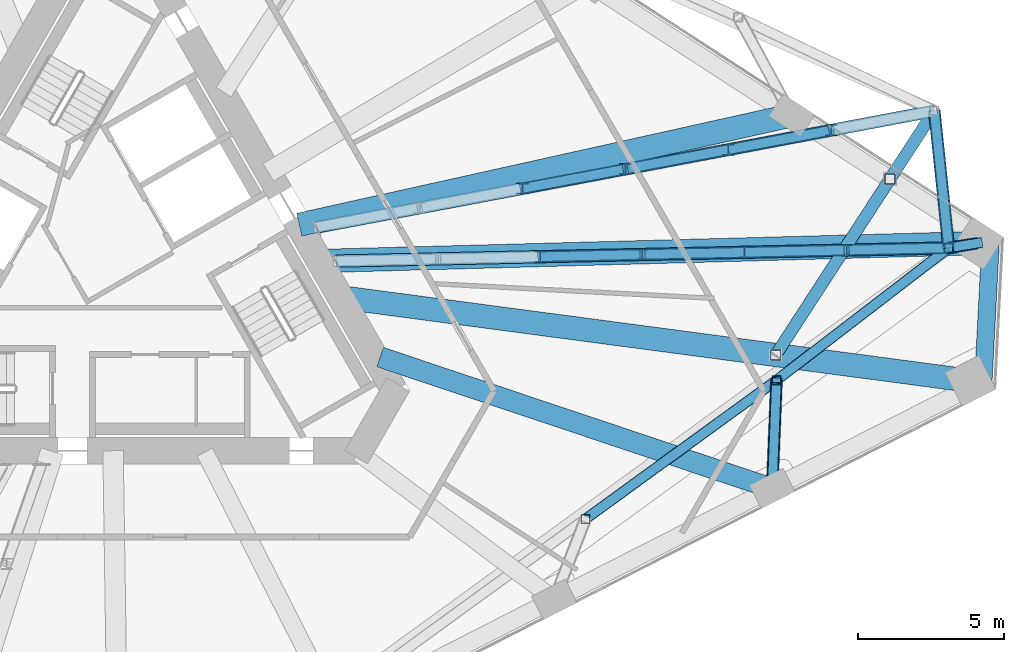
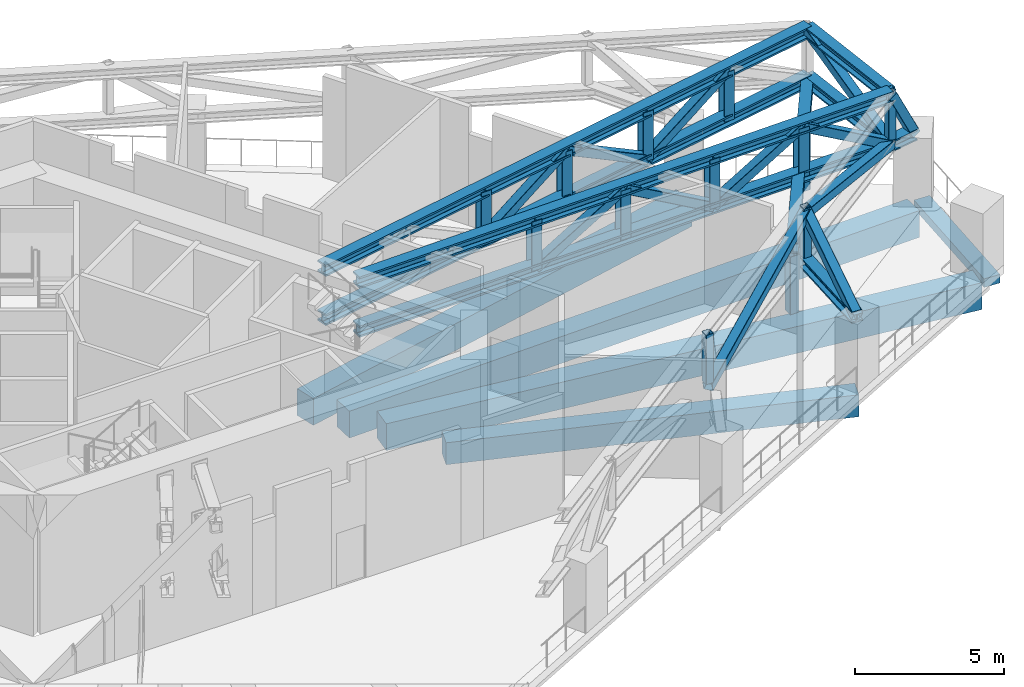
# One storey, part 8 of 26: 34 members, 5 beams.
"""IFC4 building model written with IfcOpenShell, lengths in metres."""

from ifc_helpers import new_model, si_unit, direction, frame, origin, origin_2d, place, context, subcontext, project, spatial, rectangle, hollow_rectangle, i_section, extrude, material, material_profile, profile_set, type_object, element, save


model = new_model("IFC4")

# Units and contexts
model_context = context("Model", 3, precision=1e-05, world=origin(), true_north=direction((0.0, 1.0)))
body_context = subcontext(model_context, "Body", "Model", "MODEL_VIEW")
ifc_project = project(units=[si_unit("LENGTHUNIT", "METRE"), si_unit("AREAUNIT", "SQUARE_METRE"), si_unit("VOLUMEUNIT", "CUBIC_METRE"), si_unit("PLANEANGLEUNIT", "RADIAN"), si_unit("MASSUNIT", "GRAM", prefix="KILO")], contexts=[model_context])

# Site, building, storey
site_placement = place(None, origin())
site = spatial("IfcSite", under=ifc_project, at=site_placement, CompositionType="ELEMENT")
building_placement = place(site_placement, origin())
building = spatial("IfcBuilding", under=site, at=building_placement, Name="Tramontana Tower", CompositionType="ELEMENT")
storey_placement = place(building_placement, frame((0.0, 0.0, 157.60009765625)))
storey = spatial("IfcBuildingStorey", under=building, at=storey_placement, Name="L36", CompositionType="ELEMENT", Elevation=157.60009765625)

# Members
ifc_material_1 = material(Name="Steel ASTM A500 Grade C", Category="steel")
ifc_material_profile_1 = material_profile(ifc_material_1, hollow_rectangle(XDim=0.3046875, YDim=0.3046875, WallThickness=0.01171875, InnerFilletRadius=0.01171875, OuterFilletRadius=0.023681640625, at=origin_2d()), Name="HSS12X12X1/2")
ifc_profile_set_1 = profile_set([ifc_material_profile_1], Name="Steel ASTM A500 Grade C")
member_type_1 = type_object("IfcMemberType", Name="Belt truss HSS12X12X1/2 post", PredefinedType="POST", material=ifc_profile_set_1)
for number, where, z_axis, x_axis, name in (
    (1, (16.26708984375, -8.63818359375, 2.8349609375), (0.0, 0.0, 1.0), (1.0, 0.0, 0.0), "Belt truss post C4F09"),
    (2, (22.806396484375, -3.88720703125, 2.8349609375), (0.0, 0.0, 1.0), (1.0, 0.0, 0.0), "Belt truss post C4F10"),
    (3, (28.701904296875, 0.6435546875, 2.8349609375), (0.0, 0.0, 1.0), (1.0, 0.0, 0.0), "Belt truss post C4K4"),
):
    element("IfcMember", number, at=place(storey_placement, frame(where, z_axis=z_axis, x_axis=x_axis)), inside=storey, type_object=member_type_1, Name=name, PredefinedType="POST", context=body_context, shape_type="SweptSolid", body=[
        extrude(hollow_rectangle(XDim=0.3046875, YDim=0.3046875, WallThickness=0.01171875, InnerFilletRadius=0.01171875, OuterFilletRadius=0.023681640625, at=origin_2d()), origin(), (0.0, 0.0, 1.0), 2.014892578125),
    ])
ifc_material_2 = material(Name="Steel ASTM A500 Grade C", Category="steel")
ifc_material_profile_2 = material_profile(ifc_material_2, hollow_rectangle(XDim=0.355712890625, YDim=0.355712890625, WallThickness=0.01171875, InnerFilletRadius=0.01171875, OuterFilletRadius=0.023681640625, at=origin_2d()), Name="HSS14X14X1/2")
ifc_profile_set_2 = profile_set([ifc_material_profile_2], Name="Steel ASTM A500 Grade C")
member_type_2 = type_object("IfcMemberType", Name="Belt truss HSS14X14X1/2 brace", PredefinedType="BRACE", material=ifc_profile_set_2)
member_1_placement = place(storey_placement, frame((16.26708984375, -8.63818359375, 2.617431640625), z_axis=(0.785001385935, 0.570323948863, 0.241874797018), x_axis=(-0.587776522019, 0.809023337218, 0.0)))
element("IfcMember", 4, at=member_1_placement, inside=storey, type_object=member_type_2, Name="Belt truss diagonal S1.5", PredefinedType="BRACE", context=body_context, shape_type="SweptSolid", body=[
    extrude(hollow_rectangle(XDim=0.355712890625, YDim=0.355712890625, WallThickness=0.01171875, InnerFilletRadius=0.01171875, OuterFilletRadius=0.023681640625, at=origin_2d()), origin(), (0.0, 0.0, 1.0), 8.330322265625),
])
member_2_placement = place(storey_placement, frame((22.806396484375, -3.88720703125, 4.63232421875), z_axis=(0.765298025783, 0.588139836114, -0.261553942637), x_axis=(-0.609352076684, 0.792899770867, 0.0)))
element("IfcMember", 5, at=member_2_placement, inside=storey, type_object=member_type_2, Name="Belt truss diagonal S1.6", PredefinedType="BRACE", context=body_context, shape_type="SweptSolid", body=[
    extrude(hollow_rectangle(XDim=0.355712890625, YDim=0.355712890625, WallThickness=0.01171875, InnerFilletRadius=0.01171875, OuterFilletRadius=0.023681640625, at=origin_2d()), origin(), (0.0, 0.0, 1.0), 7.70361328125),
])
member_3_placement = place(storey_placement, frame((28.701904296875, 0.6435546875, 2.617431640625), z_axis=(-0.096138690608, 0.91467330184, 0.39259406907), x_axis=(-0.994521595527, -0.104531316027, 0.0)))
element("IfcMember", 6, at=member_3_placement, inside=storey, type_object=member_type_2, Name="Belt truss diagonal K2.1", PredefinedType="BRACE", context=body_context, shape_type="SweptSolid", body=[
    extrude(hollow_rectangle(XDim=0.355712890625, YDim=0.355712890625, WallThickness=0.01171875, InnerFilletRadius=0.01171875, OuterFilletRadius=0.023681640625, at=origin_2d()), origin(), (0.0, 0.0, 1.0), 5.13232421875),
])
ifc_material_3 = material(Name="Steel ASTM A992 Grade 50", Category="steel")
ifc_material_profile_3 = material_profile(ifc_material_3, i_section(OverallWidth=0.412841796875, OverallDepth=0.43505859375, WebThickness=0.03662109375, FlangeThickness=0.05712890625, FilletRadius=0.01513671875, at=origin_2d()), Name="W14X311")
ifc_profile_set_3 = profile_set([ifc_material_profile_3], Name="Steel ASTM A992 Grade 50")
member_type_3 = type_object("IfcMemberType", Name="Belt truss W14X311 chord", PredefinedType="CHORD", material=ifc_profile_set_3)
for number, where, z_axis, x_axis, name in (
    (7, (28.701904296875, 0.6435546875, 2.617431640625), (-0.104531316027, 0.994521595527, 0.0), (-0.994521595527, -0.104531316027, 0.0), "Belt truss bottom chord K2"),
    (8, (28.701904296875, 0.6435546875, 4.63232421875), (-0.104531316027, 0.994521595527, 0.0), (-0.994521595527, -0.104531316027, 0.0), "Belt truss top chord K2"),
):
    element("IfcMember", number, at=place(storey_placement, frame(where, z_axis=z_axis, x_axis=x_axis)), inside=storey, type_object=member_type_3, Name=name, PredefinedType="CHORD", context=body_context, shape_type="SweptSolid", body=[
        extrude(i_section(OverallWidth=0.412841796875, OverallDepth=0.43505859375, WebThickness=0.03662109375, FlangeThickness=0.05712890625, FilletRadius=0.01513671875, at=origin_2d()), origin(), (0.0, 0.0, 1.0), 4.72021484375),
    ])

# Beams
ifc_material_4 = material(Name="Concrete 40 MPa", Category="concrete")
ifc_material_profile_4 = material_profile(ifc_material_4, rectangle(XDim=0.60009765625, YDim=0.35009765625, at=origin_2d()), Name="RC EDGE BEAM 600X350 40 MPa")
ifc_profile_set_4 = profile_set([ifc_material_profile_4], Name="Concrete 40 MPa")
beam_type_1 = type_object("IfcBeamType", Name="RC EDGE BEAM 600X350 40 MPa", PredefinedType="SPANDREL", material=ifc_profile_set_4)
beam_1_placement = place(storey_placement, frame((29.872802734375, -4.167236328125, -0.525146484375), z_axis=(0.052341816109, 0.998629227635, 0.0), x_axis=(-0.998629227635, 0.052341816109, 0.0)))
element("IfcBeam", 9, at=beam_1_placement, inside=storey, type_object=beam_type_1, Name="Spandrel beam K2 L36", PredefinedType="SPANDREL", context=body_context, shape_type="SweptSolid", body=[
    extrude(rectangle(XDim=0.60009765625, YDim=0.35009765625, at=origin_2d()), origin(), (0.0, 0.0, 1.0), 5.196044921875),
])
ifc_material_5 = material(Name="Concrete 40 MPa", Category="concrete")
ifc_material_profile_5 = material_profile(ifc_material_5, rectangle(XDim=0.699951171875, YDim=0.89990234375, at=origin_2d()), Name="RC GIRDER 700X900 40 MPa")
ifc_profile_set_5 = profile_set([ifc_material_profile_5], Name="Concrete 40 MPa")
beam_type_2 = type_object("IfcBeamType", Name="RC GIRDER 700X900 40 MPa", PredefinedType="BEAM", material=ifc_profile_set_5)
beam_2_placement = place(storey_placement, frame((22.65869140625, -7.59033203125, -0.800048828125), z_axis=(-0.948211400457, 0.317639953476, 0.0), x_axis=(-0.317639953476, -0.948211400457, 0.0)))
element("IfcBeam", 10, at=beam_2_placement, inside=storey, type_object=beam_type_2, Name="Radial girder C3F10 L36", PredefinedType="BEAM", context=body_context, shape_type="SweptSolid", body=[
    extrude(rectangle(XDim=0.699951171875, YDim=0.89990234375, at=origin_2d()), origin(), (0.0, 0.0, 1.0), 14.155517578125),
])
ifc_material_6 = material(Name="Concrete 40 MPa", Category="concrete")
ifc_material_profile_6 = material_profile(ifc_material_6, rectangle(XDim=0.800048828125, YDim=1.10009765625, at=origin_2d()), Name="RC GIRDER 800X1100 40 MPa")
ifc_profile_set_6 = profile_set([ifc_material_profile_6], Name="Concrete 40 MPa")
beam_type_3 = type_object("IfcBeamType", Name="RC GIRDER 800X1100 40 MPa", PredefinedType="BEAM", material=ifc_profile_set_6)
beam_3_placement = place(storey_placement, frame((29.447998046875, -3.90673828125, -0.900146484375), z_axis=(-0.991313997986, 0.131516376914, 0.0), x_axis=(-0.131516376914, -0.991313997986, 0.0)))
element("IfcBeam", 11, at=beam_3_placement, inside=storey, type_object=beam_type_3, Name="Radial girder C3K4 L36", PredefinedType="BEAM", context=body_context, shape_type="SweptSolid", body=[
    extrude(rectangle(XDim=0.800048828125, YDim=1.10009765625, at=origin_2d()), origin(), (0.0, 0.0, 1.0), 21.641357421875),
])
beam_4_placement = place(storey_placement, frame((29.695068359375, 0.80712890625, -0.900146484375), z_axis=(-0.999630732276, -0.027173499768, 0.0), x_axis=(0.027173499768, -0.999630732276, 0.0)))
element("IfcBeam", 12, at=beam_4_placement, inside=storey, type_object=beam_type_3, Name="Radial girder C3K5 L36", PredefinedType="BEAM", context=body_context, shape_type="SweptSolid", body=[
    extrude(rectangle(XDim=0.800048828125, YDim=1.10009765625, at=origin_2d()), origin(), (0.0, 0.0, 1.0), 22.479248046875),
])
beam_5_placement = place(storey_placement, frame((23.328125, 5.180419921875, -0.900146484375), z_axis=(-0.976217985391, -0.216791247516, 0.0), x_axis=(0.216791247516, -0.976217985391, 0.0)))
element("IfcBeam", 13, at=beam_5_placement, inside=storey, type_object=beam_type_3, Name="Radial girder C3F11 L36", PredefinedType="BEAM", context=body_context, shape_type="SweptSolid", body=[
    extrude(rectangle(XDim=0.800048828125, YDim=1.10009765625, at=origin_2d()), origin(), (0.0, 0.0, 1.0), 17.26953125),
])

# Members
ifc_material_7 = material(Name="Steel ASTM A500 Grade C", Category="steel")
ifc_material_profile_7 = material_profile(ifc_material_7, hollow_rectangle(XDim=0.355712890625, YDim=0.355712890625, WallThickness=0.01171875, InnerFilletRadius=0.01171875, OuterFilletRadius=0.023681640625, at=origin_2d()), Name="HSS14X14X1/2")
ifc_profile_set_7 = profile_set([ifc_material_profile_7], Name="Steel ASTM A500 Grade C")
member_type_4 = type_object("IfcMemberType", Name="Transfer truss HSS14X14X1/2 brace", PredefinedType="BRACE", material=ifc_profile_set_7)
member_4_placement = place(storey_placement, frame((22.65869140625, -7.59033203125, 2.617431640625), z_axis=(0.035014631379, 0.877854427693, 0.477645872346), x_axis=(-0.999205477339, 0.039854912565, 0.0)))
element("IfcMember", 14, at=member_4_placement, inside=storey, type_object=member_type_4, Name="Transfer truss strut C4F10 diagonal", PredefinedType="BRACE", context=body_context, shape_type="SweptSolid", body=[
    extrude(hollow_rectangle(XDim=0.355712890625, YDim=0.355712890625, WallThickness=0.01171875, InnerFilletRadius=0.01171875, OuterFilletRadius=0.023681640625, at=origin_2d()), origin(), (0.0, 0.0, 1.0), 4.21826171875),
])
member_5_placement = place(storey_placement, frame((29.695068359375, 0.80712890625, 2.617431640625), z_axis=(-0.440952531768, -0.07262492534, 0.894587326618), x_axis=(0.162510703808, -0.986706780735, 0.0)))
element("IfcMember", 15, at=member_5_placement, inside=storey, type_object=member_type_4, Name="Transfer truss strut C4K4 diagonal", PredefinedType="BRACE", context=body_context, shape_type="SweptSolid", body=[
    extrude(hollow_rectangle(XDim=0.355712890625, YDim=0.355712890625, WallThickness=0.01171875, InnerFilletRadius=0.01171875, OuterFilletRadius=0.023681640625, at=origin_2d()), origin(), (0.0, 0.0, 1.0), 2.252197265625),
])
member_6_placement = place(storey_placement, frame((14.72021484375, 0.343017578125, 2.617431640625), z_axis=(0.866229488434, 0.018573296057, 0.499301017464), x_axis=(-0.021436615049, 0.999770209366, 0.0)))
element("IfcMember", 16, at=member_6_placement, inside=storey, type_object=member_type_4, Name="Transfer truss diagonal 3.3", PredefinedType="BRACE", context=body_context, shape_type="SweptSolid", body=[
    extrude(hollow_rectangle(XDim=0.355712890625, YDim=0.355712890625, WallThickness=0.01171875, InnerFilletRadius=0.01171875, OuterFilletRadius=0.023681640625, at=origin_2d()), origin(), (0.0, 0.0, 1.0), 4.035400390625),
])
for number, where, z_axis, x_axis, name in (
    (17, (18.2158203125, 0.41796875, 4.63232421875), (0.866213408774, 0.018634750989, -0.499326623079), (-0.021507910377, 0.999768678141, 0.0), "Transfer truss diagonal 3.4"),
    (18, (21.711181640625, 0.4931640625, 2.617431640625), (0.866213408774, 0.018634750989, 0.499326623079), (-0.021507910377, 0.999768678141, 0.0), "Transfer truss diagonal 3.5"),
    (19, (25.20654296875, 0.568359375, 4.63232421875), (0.866213408774, 0.018634750989, -0.499326623079), (-0.021507910377, 0.999768678141, 0.0), "Transfer truss diagonal 3.6"),
):
    element("IfcMember", number, at=place(storey_placement, frame(where, z_axis=z_axis, x_axis=x_axis)), inside=storey, type_object=member_type_4, Name=name, PredefinedType="BRACE", context=body_context, shape_type="SweptSolid", body=[
        extrude(hollow_rectangle(XDim=0.355712890625, YDim=0.355712890625, WallThickness=0.01171875, InnerFilletRadius=0.01171875, OuterFilletRadius=0.023681640625, at=origin_2d()), origin(), (0.0, 0.0, 1.0), 4.03515625),
    ])
member_7_placement = place(storey_placement, frame((14.1103515625, 2.67919921875, 2.617431640625), z_axis=(0.856756383771, 0.161535698319, 0.489770065475), x_axis=(-0.185278883268, 0.982685980064, 0.0)))
element("IfcMember", 20, at=member_7_placement, inside=storey, type_object=member_type_4, Name="Transfer truss diagonal 4.3", PredefinedType="BRACE", context=body_context, shape_type="SweptSolid", body=[
    extrude(hollow_rectangle(XDim=0.355712890625, YDim=0.355712890625, WallThickness=0.01171875, InnerFilletRadius=0.01171875, OuterFilletRadius=0.023681640625, at=origin_2d()), origin(), (0.0, 0.0, 1.0), 4.114013671875),
])
member_8_placement = place(storey_placement, frame((17.635009765625, 3.34375, 4.63232421875), z_axis=(0.856732383645, 0.161601709661, -0.489790271697), x_axis=(-0.185357010539, 0.982671246473, 0.0)))
element("IfcMember", 21, at=member_8_placement, inside=storey, type_object=member_type_4, Name="Transfer truss diagonal 4.4", PredefinedType="BRACE", context=body_context, shape_type="SweptSolid", body=[
    extrude(hollow_rectangle(XDim=0.355712890625, YDim=0.355712890625, WallThickness=0.01171875, InnerFilletRadius=0.01171875, OuterFilletRadius=0.023681640625, at=origin_2d()), origin(), (0.0, 0.0, 1.0), 4.11376953125),
])
member_9_placement = place(storey_placement, frame((21.159423828125, 4.008544921875, 2.617431640625), z_axis=(0.856748169297, 0.161593493454, 0.48976536962), x_axis=(-0.185344612583, 0.982673584964, 0.0)))
element("IfcMember", 22, at=member_9_placement, inside=storey, type_object=member_type_4, Name="Transfer truss diagonal 4.5", PredefinedType="BRACE", context=body_context, shape_type="SweptSolid", body=[
    extrude(hollow_rectangle(XDim=0.355712890625, YDim=0.355712890625, WallThickness=0.01171875, InnerFilletRadius=0.01171875, OuterFilletRadius=0.023681640625, at=origin_2d()), origin(), (0.0, 0.0, 1.0), 4.114013671875),
])
ifc_material_8 = material(Name="Steel ASTM A500 Grade C", Category="steel")
ifc_material_profile_8 = material_profile(ifc_material_8, hollow_rectangle(XDim=0.355712890625, YDim=0.355712890625, WallThickness=0.01171875, InnerFilletRadius=0.01171875, OuterFilletRadius=0.023681640625, at=origin_2d()), Name="HSS14X14X1/2")
ifc_profile_set_8 = profile_set([ifc_material_profile_8], Name="Steel ASTM A500 Grade C")
member_type_5 = type_object("IfcMemberType", Name="Transfer truss HSS14X14X1/2 post", PredefinedType="POST", material=ifc_profile_set_8)
for number, where, z_axis, x_axis, name in (
    (23, (26.68896484375, 2.997802734375, 0.039794921875), (0.0, 0.0, 1.0), (1.0, 0.0, 0.0), "Transfer truss post C4K5.1"),
    (24, (22.779541015625, -3.02197265625, 0.039794921875), (0.0, 0.0, 1.0), (1.0, 0.0, 0.0), "Transfer truss post C4K5.2"),
):
    element("IfcMember", number, at=place(storey_placement, frame(where, z_axis=z_axis, x_axis=x_axis)), inside=storey, type_object=member_type_5, Name=name, PredefinedType="POST", context=body_context, shape_type="SweptSolid", body=[
        extrude(hollow_rectangle(XDim=0.355712890625, YDim=0.355712890625, WallThickness=0.01171875, InnerFilletRadius=0.01171875, OuterFilletRadius=0.023681640625, at=origin_2d()), origin(), (0.0, 0.0, 1.0), 2.360107421875),
    ])
ifc_material_9 = material(Name="Steel ASTM A992 Grade 50", Category="steel")
ifc_material_profile_9 = material_profile(ifc_material_9, i_section(OverallWidth=0.39697265625, OverallDepth=0.387451171875, WebThickness=0.020751953125, FlangeThickness=0.033447265625, FilletRadius=0.01513671875, at=origin_2d()), Name="W14X176")
ifc_profile_set_9 = profile_set([ifc_material_profile_9], Name="Steel ASTM A992 Grade 50")
member_type_6 = type_object("IfcMemberType", Name="Transfer truss W14X176 post", PredefinedType="POST", material=ifc_profile_set_9)
for number, where, z_axis, x_axis, name in (
    (25, (14.72021484375, 0.343017578125, 2.617431640625), (0.0, 0.0, 1.0), (1.0, 0.0, 0.0), "Transfer truss post 3.2"),
    (26, (18.2158203125, 0.41796875, 2.617431640625), (0.0, 0.0, 1.0), (1.0, 0.0, 0.0), "Transfer truss post 3.3"),
    (27, (21.711181640625, 0.4931640625, 2.617431640625), (0.0, 0.0, 1.0), (1.0, 0.0, 0.0), "Transfer truss post 3.4"),
    (28, (25.20654296875, 0.568359375, 2.617431640625), (0.0, 0.0, 1.0), (1.0, 0.0, 0.0), "Transfer truss post 3.5"),
    (29, (14.1103515625, 2.67919921875, 2.617431640625), (0.0, 0.0, 1.0), (1.0, 0.0, 0.0), "Transfer truss post 4.2"),
    (30, (17.635009765625, 3.34375, 2.617431640625), (0.0, 0.0, 1.0), (1.0, 0.0, 0.0), "Transfer truss post 4.3"),
    (31, (21.159423828125, 4.008544921875, 2.617431640625), (0.0, 0.0, 1.0), (1.0, 0.0, 0.0), "Transfer truss post 4.4"),
    (32, (24.68408203125, 4.67333984375, 2.617431640625), (0.0, 0.0, 1.0), (1.0, 0.0, 0.0), "Transfer truss post 4.5"),
):
    element("IfcMember", number, at=place(storey_placement, frame(where, z_axis=z_axis, x_axis=x_axis)), inside=storey, type_object=member_type_6, Name=name, PredefinedType="POST", context=body_context, shape_type="SweptSolid", body=[
        extrude(i_section(OverallWidth=0.39697265625, OverallDepth=0.387451171875, WebThickness=0.020751953125, FlangeThickness=0.033447265625, FilletRadius=0.01513671875, at=origin_2d()), origin(), (0.0, 0.0, 1.0), 2.014892578125),
    ])
ifc_material_10 = material(Name="Steel ASTM A992 Grade 50", Category="steel")
ifc_material_profile_10 = material_profile(ifc_material_10, i_section(OverallWidth=0.412841796875, OverallDepth=0.43505859375, WebThickness=0.03662109375, FlangeThickness=0.05712890625, FilletRadius=0.01513671875, at=origin_2d()), Name="W14X311")
ifc_profile_set_10 = profile_set([ifc_material_profile_10], Name="Steel ASTM A992 Grade 50")
member_type_7 = type_object("IfcMemberType", Name="Transfer truss W14X311 chord", PredefinedType="CHORD", material=ifc_profile_set_10)
member_10_placement = place(storey_placement, frame((28.20849609375, 5.337890625, 2.617431640625), z_axis=(-0.544638779944, -0.83867073359, 0.0), x_axis=(0.83867073359, -0.544638779944, 0.0)))
element("IfcMember", 33, at=member_10_placement, inside=storey, type_object=member_type_7, Name="Transfer truss girder C4K5", PredefinedType="CHORD", context=body_context, shape_type="SweptSolid", body=[
    extrude(i_section(OverallWidth=0.412841796875, OverallDepth=0.43505859375, WebThickness=0.03662109375, FlangeThickness=0.05712890625, FilletRadius=0.01513671875, at=origin_2d()), origin(), (0.0, 0.0, 1.0), 9.968017578125),
])
ifc_material_11 = material(Name="Steel ASTM A992 Grade 50", Category="steel")
ifc_material_profile_11 = material_profile(ifc_material_11, i_section(OverallWidth=0.412841796875, OverallDepth=0.43505859375, WebThickness=0.03662109375, FlangeThickness=0.05712890625, FilletRadius=0.01513671875, at=origin_2d()), Name="W14X311")
ifc_profile_set_11 = profile_set([ifc_material_profile_11], Name="Steel ASTM A992 Grade 50")
member_type_8 = type_object("IfcMemberType", Name="Transfer truss W14X311 strut", PredefinedType="STRUT", material=ifc_profile_set_11)
member_11_placement = place(storey_placement, frame((22.65869140625, -7.59033203125, 2.617431640625), z_axis=(0.039854912565, 0.999205477339, 0.0), x_axis=(-0.999205477339, 0.039854912565, 0.0)))
element("IfcMember", 34, at=member_11_placement, inside=storey, type_object=member_type_8, Name="Transfer truss strut C4F10 bottom", PredefinedType="STRUT", context=body_context, shape_type="SweptSolid", body=[
    extrude(i_section(OverallWidth=0.412841796875, OverallDepth=0.43505859375, WebThickness=0.03662109375, FlangeThickness=0.05712890625, FilletRadius=0.01513671875, at=origin_2d()), origin(), (0.0, 0.0, 1.0), 3.7060546875),
])
member_12_placement = place(storey_placement, frame((29.695068359375, 0.80712890625, 2.617431640625), z_axis=(-0.986706780735, -0.162510703808, 0.0), x_axis=(0.162510703808, -0.986706780735, 0.0)))
element("IfcMember", 35, at=member_12_placement, inside=storey, type_object=member_type_8, Name="Transfer truss strut C4K4 bottom", PredefinedType="STRUT", context=body_context, shape_type="SweptSolid", body=[
    extrude(i_section(OverallWidth=0.412841796875, OverallDepth=0.43505859375, WebThickness=0.03662109375, FlangeThickness=0.05712890625, FilletRadius=0.01513671875, at=origin_2d()), origin(), (0.0, 0.0, 1.0), 1.006591796875),
])
ifc_material_12 = material(Name="Steel ASTM A992 Grade 50", Category="steel")
ifc_material_profile_12 = material_profile(ifc_material_12, i_section(OverallWidth=0.42236328125, OverallDepth=0.463623046875, WebThickness=0.04443359375, FlangeThickness=0.072998046875, FilletRadius=0.014892578125, at=origin_2d()), Name="W14X398")
ifc_profile_set_12 = profile_set([ifc_material_profile_12], Name="Steel ASTM A992 Grade 50")
member_type_9 = type_object("IfcMemberType", Name="Transfer truss W14X398 chord", PredefinedType="CHORD", material=ifc_profile_set_12)
for number, where, z_axis, x_axis, name in (
    (36, (7.729248046875, 0.1923828125, 2.617431640625), (0.999768688908, 0.021507409866, 0.0), (-0.021507409866, 0.999768688908, 0.0), "Transfer truss bottom chord 3"),
    (37, (7.729248046875, 0.1923828125, 4.63232421875), (0.999768688908, 0.021507409866, 0.0), (-0.021507409866, 0.999768688908, 0.0), "Transfer truss top chord 3"),
):
    element("IfcMember", number, at=place(storey_placement, frame(where, z_axis=z_axis, x_axis=x_axis)), inside=storey, type_object=member_type_9, Name=name, PredefinedType="CHORD", context=body_context, shape_type="SweptSolid", body=[
        extrude(i_section(OverallWidth=0.42236328125, OverallDepth=0.463623046875, WebThickness=0.04443359375, FlangeThickness=0.072998046875, FilletRadius=0.014892578125, at=origin_2d()), origin(), (0.0, 0.0, 1.0), 20.9775390625),
    ])
for number, where, z_axis, x_axis, name in (
    (38, (7.061279296875, 1.349609375, 2.617431640625), (0.982676548202, 0.185328901181, 0.0), (-0.185328901181, 0.982676548202, 0.0), "Transfer truss bottom chord 4"),
    (39, (7.061279296875, 1.349609375, 4.63232421875), (0.982676548202, 0.185328901181, 0.0), (-0.185328901181, 0.982676548202, 0.0), "Transfer truss top chord 4"),
):
    element("IfcMember", number, at=place(storey_placement, frame(where, z_axis=z_axis, x_axis=x_axis)), inside=storey, type_object=member_type_9, Name=name, PredefinedType="CHORD", context=body_context, shape_type="SweptSolid", body=[
        extrude(i_section(OverallWidth=0.42236328125, OverallDepth=0.463623046875, WebThickness=0.04443359375, FlangeThickness=0.072998046875, FilletRadius=0.014892578125, at=origin_2d()), origin(), (0.0, 0.0, 1.0), 21.52001953125),
    ])

save(model, "model.ifc")
